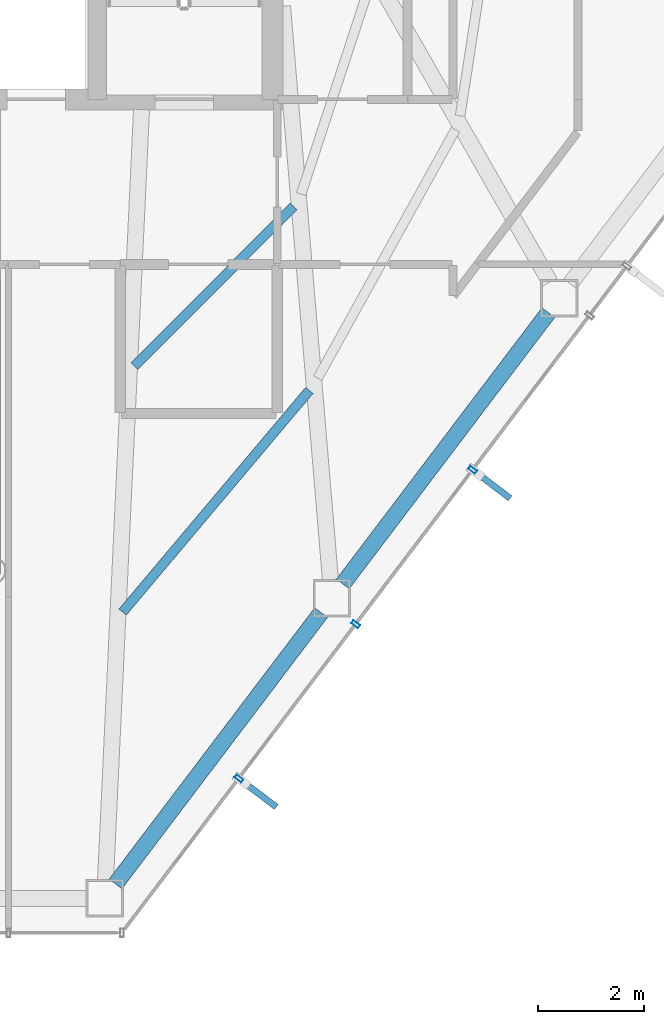
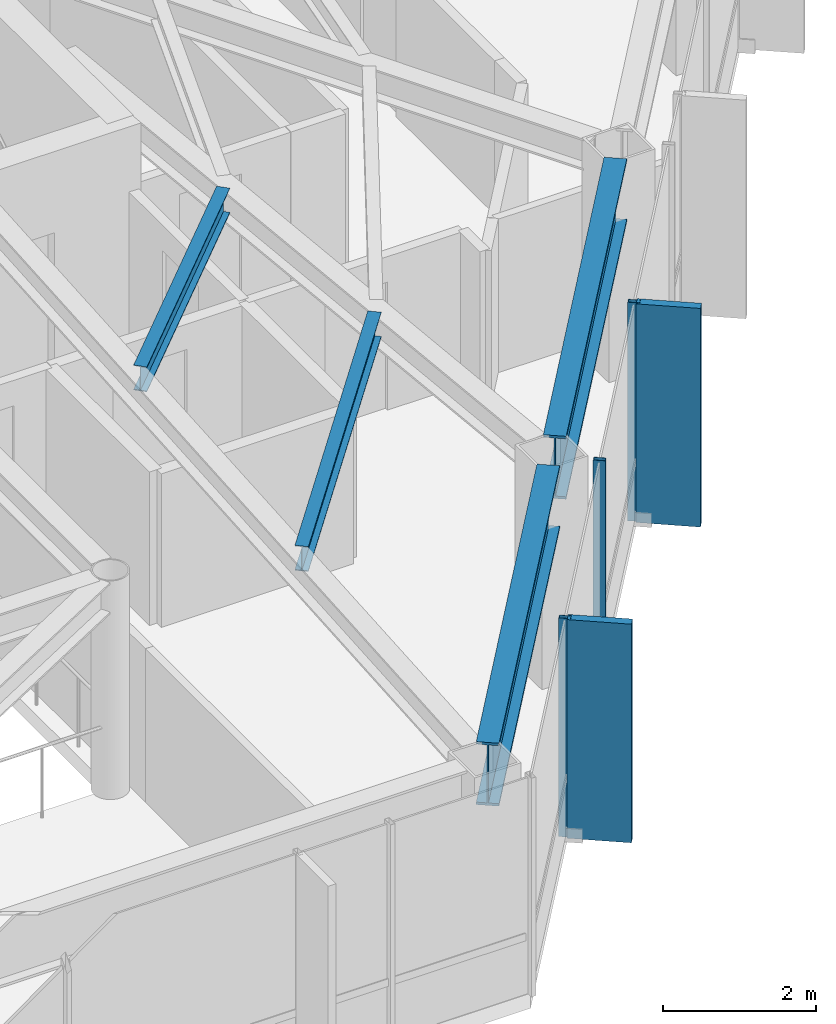
# One storey, part 16 of 28: 5 members, 4 beams, 1 element without a shape of its own.
"""IFC4 building model written with IfcOpenShell, lengths in metres."""

from ifc_helpers import new_model, si_unit, direction, frame, origin, origin_2d, place, context, subcontext, project, spatial, rectangle, hollow_rectangle, i_section, extrude, material, layer, layer_set, material_profile, profile_set, type_object, element, aggregate, save


model = new_model("IFC4")

# Units and contexts
model_context = context("Model", 3, precision=1e-05, world=origin(), true_north=direction((0.0, 1.0)))
body_context = subcontext(model_context, "Body", "Model", "MODEL_VIEW")
ifc_project = project(units=[si_unit("LENGTHUNIT", "METRE"), si_unit("AREAUNIT", "SQUARE_METRE"), si_unit("VOLUMEUNIT", "CUBIC_METRE"), si_unit("PLANEANGLEUNIT", "RADIAN"), si_unit("MASSUNIT", "GRAM", prefix="KILO")], contexts=[model_context])

# Site, building, storey
site_placement = place(None, origin())
site = spatial("IfcSite", under=ifc_project, at=site_placement, CompositionType="ELEMENT")
building_placement = place(site_placement, origin())
building = spatial("IfcBuilding", under=site, at=building_placement, Name="Zarrinselat Tower", CompositionType="ELEMENT")
storey_placement = place(building_placement, frame((0.0, 0.0, 187.0)))
storey = spatial("IfcBuildingStorey", under=building, at=storey_placement, Name="L46", CompositionType="ELEMENT", Elevation=187.0)

# Beams
ifc_material_1 = material(Name="Steel S460M", Category="steel")
ifc_material_profile_1 = material_profile(ifc_material_1, i_section(OverallWidth=0.302001953125, OverallDepth=1.008056640625, WebThickness=0.02099609375, FlangeThickness=0.0400390625, at=origin_2d()), Name="HEM 1000")
ifc_profile_set_1 = profile_set([ifc_material_profile_1], Name="Steel S460M")
beam_type_1 = type_object("IfcBeamType", Name="BM-HEM1000", PredefinedType="BEAM", material=ifc_profile_set_1)
for number, where, z_axis, x_axis, name in (
    (1, (45.311767578125, 18.5087890625, 2.99609375), (0.603846664563, 0.797100499119, 0.0), (-0.797100499119, 0.603846664563, 0.0), "L46 Perimeter Spandrel Girder SP11"),
    (2, (49.582275390625, 24.14599609375, 2.99609375), (0.603846664563, 0.797100499119, 0.0), (-0.797100499119, 0.603846664563, 0.0), "L46 Perimeter Spandrel Girder SP12"),
):
    element("IfcBeam", number, at=place(storey_placement, frame(where, z_axis=z_axis, x_axis=x_axis)), inside=storey, type_object=beam_type_1, Name=name, PredefinedType="BEAM", context=body_context, shape_type="SweptSolid", body=[
        extrude(i_section(OverallWidth=0.302001953125, OverallDepth=1.008056640625, WebThickness=0.02099609375, FlangeThickness=0.0400390625, at=origin_2d()), origin(), (0.0, 0.0, 1.0), 6.396240234375),
    ])
ifc_material_2 = material(Name="Steel S355J2", Category="steel")
ifc_material_profile_2 = material_profile(ifc_material_2, i_section(OverallWidth=0.179931640625, OverallDepth=0.39990234375, WebThickness=0.008544921875, FlangeThickness=0.013427734375, at=origin_2d()), Name="IPE 400")
ifc_profile_set_2 = profile_set([ifc_material_profile_2], Name="Steel S355J2")
beam_type_2 = type_object("IfcBeamType", Name="BM-IPE400", PredefinedType="JOIST", material=ifc_profile_set_2)
beam_1_placement = place(storey_placement, frame((45.444091796875, 23.617431640625, 3.300048828125), z_axis=(0.64426686884, 0.764800759489, 0.0), x_axis=(-0.764800759489, 0.64426686884, 0.0)))
element("IfcBeam", 3, at=beam_1_placement, inside=storey, type_object=beam_type_2, Name="L46 Composite Floor Joist 3-1", PredefinedType="JOIST", context=body_context, shape_type="SweptSolid", body=[
    extrude(i_section(OverallWidth=0.179931640625, OverallDepth=0.39990234375, WebThickness=0.008544921875, FlangeThickness=0.013427734375, at=origin_2d()), origin(), (0.0, 0.0, 1.0), 5.446533203125),
])
beam_2_placement = place(storey_placement, frame((45.6689453125, 28.23974609375, 3.300048828125), z_axis=(0.705865612846, 0.708345774747, 0.0), x_axis=(-0.708345774747, 0.705865612846, 0.0)))
element("IfcBeam", 4, at=beam_2_placement, inside=storey, type_object=beam_type_2, Name="L46 Composite Floor Joist 3-2", PredefinedType="JOIST", context=body_context, shape_type="SweptSolid", body=[
    extrude(i_section(OverallWidth=0.179931640625, OverallDepth=0.39990234375, WebThickness=0.008544921875, FlangeThickness=0.013427734375, at=origin_2d()), origin(), (0.0, 0.0, 1.0), 4.23291015625),
])

# Curtain wall, members
ifc_material_3 = material(Name="Extruded Aluminium Alloy EN AW-6063 T6", Category="aluminium")
ifc_layer = layer(ifc_material_3, 0.175048828125)
ifc_layer_set = layer_set([ifc_layer], Name="Extruded Aluminium Alloy EN AW-6063 T6")
curtain_wall_type = type_object("IfcCurtainWallType", Name="CWS-HTL", PredefinedType="NOTDEFINED", material=ifc_layer_set)
curtain_wall_placement = place(storey_placement, origin())
curtain_wall = element("IfcCurtainWall", 5, at=curtain_wall_placement, inside=storey, type_object=curtain_wall_type, Name="L46 Unitised Curtain Wall CW-L46-E05", PredefinedType="NOTDEFINED")
ifc_material_4 = material(Name="Extruded Aluminium Alloy EN AW-6063 T6", Category="aluminium")
ifc_material_profile_3 = material_profile(ifc_material_4, hollow_rectangle(XDim=0.070068359375, YDim=0.159912109375, WallThickness=0.00390625, at=origin_2d()), Name="RHS 160x70x4")
ifc_profile_set_3 = profile_set([ifc_material_profile_3], Name="Extruded Aluminium Alloy EN AW-6063 T6")
member_type_1 = type_object("IfcMemberType", Name="MEM-CW-MUL2", PredefinedType="MULLION", material=ifc_profile_set_3)
member_1_placement = place(storey_placement, frame((47.62744140625, 20.4892578125, 0.0), z_axis=(0.0, 0.0, 1.0), x_axis=(0.603856629551, 0.797092950005, 0.0)))
member_1 = element("IfcMember", 6, at=member_1_placement, type_object=member_type_1, Name="CW-L46-E05 Mullion 1", PredefinedType="MULLION", context=body_context, shape_type="SweptSolid", body=[
    extrude(hollow_rectangle(XDim=0.070068359375, YDim=0.159912109375, WallThickness=0.00390625, at=origin_2d()), origin(), (0.0, 0.0, 1.0), 3.5),
])
member_2_placement = place(storey_placement, frame((49.82421875, 23.388916015625, 0.0), z_axis=(0.0, 0.0, 1.0), x_axis=(0.603856629551, 0.797092950005, 0.0)))
member_2 = element("IfcMember", 7, at=member_2_placement, type_object=member_type_1, Name="CW-L46-E05 Mullion 2", PredefinedType="MULLION", context=body_context, shape_type="SweptSolid", body=[
    extrude(hollow_rectangle(XDim=0.070068359375, YDim=0.159912109375, WallThickness=0.00390625, at=origin_2d()), origin(), (0.0, 0.0, 1.0), 3.5),
])
member_3_placement = place(storey_placement, frame((52.02099609375, 26.288818359375, 0.0), z_axis=(0.0, 0.0, 1.0), x_axis=(0.603856629551, 0.797092950005, 0.0)))
member_3 = element("IfcMember", 8, at=member_3_placement, type_object=member_type_1, Name="CW-L46-E05 Mullion 3", PredefinedType="MULLION", context=body_context, shape_type="SweptSolid", body=[
    extrude(hollow_rectangle(XDim=0.070068359375, YDim=0.159912109375, WallThickness=0.00390625, at=origin_2d()), origin(), (0.0, 0.0, 1.0), 3.5),
])
ifc_material_5 = material(Name="Honed Cream Travertine Stone", Category="masonry")
ifc_material_profile_4 = material_profile(ifc_material_5, rectangle(XDim=0.1201171875, YDim=0.85009765625, at=origin_2d()), Name="FIN 850x120")
ifc_profile_set_4 = profile_set([ifc_material_profile_4], Name="Honed Cream Travertine Stone")
member_type_2 = type_object("IfcMemberType", Name="MEM-STONE-FIN", PredefinedType="USERDEFINED", material=ifc_profile_set_4)
member_4_placement = place(storey_placement, frame((47.994140625, 20.21142578125, 0.0), z_axis=(0.0, 0.0, 1.0), x_axis=(-0.603856629551, -0.797092950005, 0.0)))
member_4 = element("IfcMember", 9, at=member_4_placement, type_object=member_type_2, Name="L46 Stone Shading Fin CW-L46-E05-01", ObjectType="FIN", PredefinedType="USERDEFINED", context=body_context, shape_type="SweptSolid", body=[
    extrude(rectangle(XDim=0.1201171875, YDim=0.85009765625, at=origin_2d()), origin(), (0.0, 0.0, 1.0), 3.5),
])
member_5_placement = place(storey_placement, frame((52.3876953125, 26.010986328125, 0.0), z_axis=(0.0, 0.0, 1.0), x_axis=(-0.603856629551, -0.797092950005, 0.0)))
member_5 = element("IfcMember", 10, at=member_5_placement, type_object=member_type_2, Name="L46 Stone Shading Fin CW-L46-E05-03", ObjectType="FIN", PredefinedType="USERDEFINED", context=body_context, shape_type="SweptSolid", body=[
    extrude(rectangle(XDim=0.1201171875, YDim=0.85009765625, at=origin_2d()), origin(), (0.0, 0.0, 1.0), 3.5),
])
aggregate(curtain_wall, [member_1, member_4, member_2, member_3, member_5])

save(model, "model.ifc")
